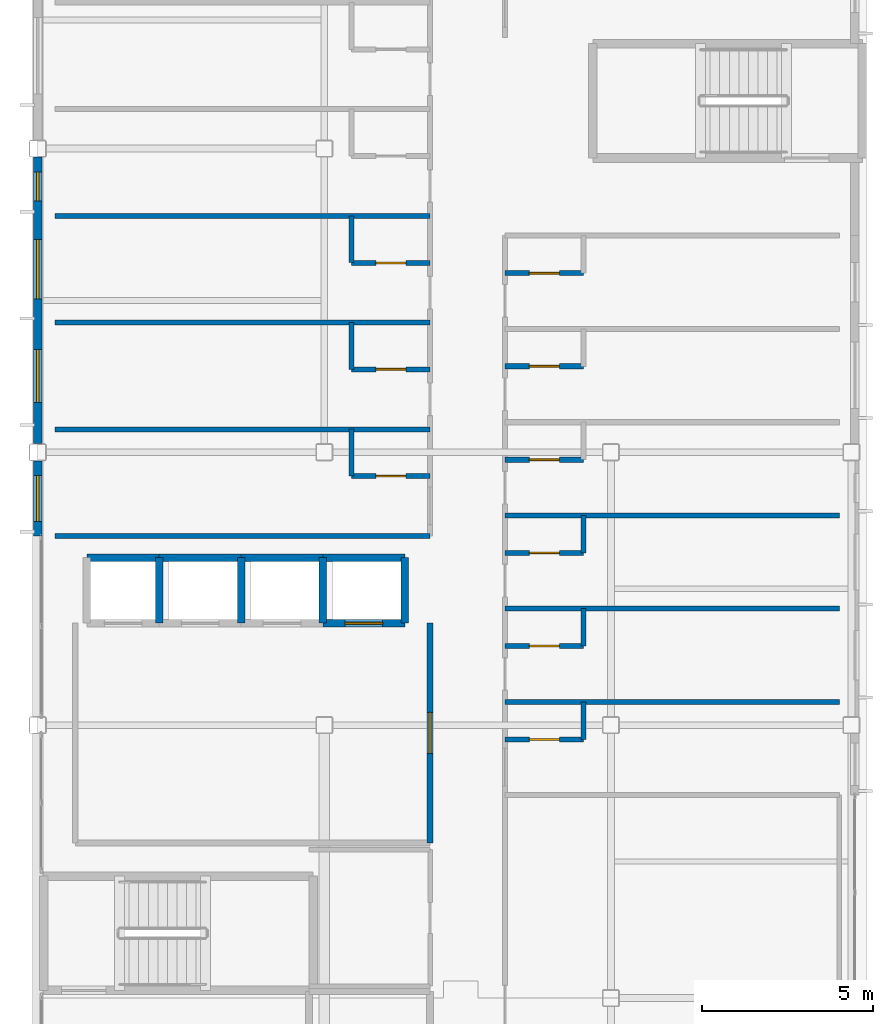
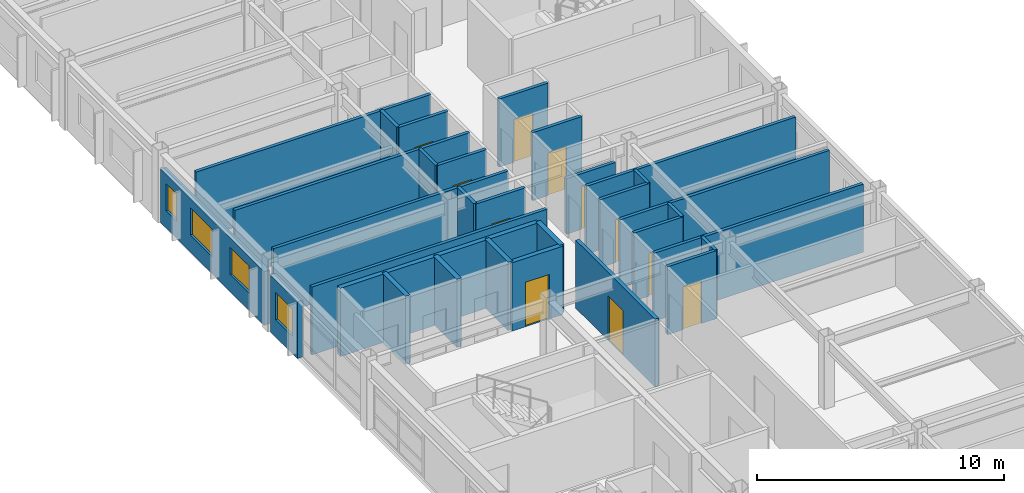
# One storey, part 28 of 35: 34 walls, 11 doors, 4 windows, 15 openings.
"""IFC4 building model written with IfcOpenShell, lengths in metres."""

from ifc_helpers import new_model, si_unit, direction, frame, frame_2d, origin, place, context, subcontext, project, spatial, rectangle, extrude, material, layer, layer_set, type_object, element, fill, save


model = new_model("IFC4")

# Units and contexts
model_context = context("Model", 3, precision=1e-05, world=origin(), true_north=direction((0.0, 1.0)))
body_context = subcontext(model_context, "Body", "Model", "MODEL_VIEW")
ifc_project = project(units=[si_unit("LENGTHUNIT", "METRE"), si_unit("AREAUNIT", "SQUARE_METRE"), si_unit("VOLUMEUNIT", "CUBIC_METRE"), si_unit("PLANEANGLEUNIT", "RADIAN"), si_unit("MASSUNIT", "GRAM", prefix="KILO")], contexts=[model_context])

# Site, building, storey
site_placement = place(None, origin())
site = spatial("IfcSite", under=ifc_project, at=site_placement, CompositionType="ELEMENT")
building_placement = place(site_placement, origin())
building = spatial("IfcBuilding", under=site, at=building_placement, Name="Kazehara Bluff Congress Hotel", CompositionType="ELEMENT")
storey_placement = place(building_placement, frame((0.0, 0.0, 35.39990234375)))
storey = spatial("IfcBuildingStorey", under=building, at=storey_placement, Name="L08", CompositionType="ELEMENT", Elevation=35.39990234375)

# Wall, opening, window
ifc_material_1 = material(Name="Precast concrete C40/50", Category="concrete")
ifc_layer_1 = layer(ifc_material_1, 0.260009765625)
ifc_layer_set_1 = layer_set([ifc_layer_1], Name="Precast concrete C40/50")
wall_type_1 = type_object("IfcWallType", Name="TP-EW-260", PredefinedType="SOLIDWALL", material=ifc_layer_set_1)
wall_1_placement = place(storey_placement, frame((143.699951171875, 62.0, 0.0), z_axis=(0.0, 0.0, 1.0), x_axis=(0.0, 1.0, 0.0)))
wall_1 = element("IfcWall", 1, at=wall_1_placement, inside=storey, type_object=wall_type_1, Name="L08 hotel facade panel 125", PredefinedType="SOLIDWALL", context=body_context, shape_type="SweptSolid", body=[
    extrude(rectangle(XDim=2.199951171875, YDim=0.260009765625, at=frame_2d((1.10009765625, 0.0))), origin(), (0.0, 0.0, 1.0), 2.80517578125),
])
opening_1_placement = place(wall_1_placement, frame((0.425048828125, 0.0, 0.85009765625)))
opening_1 = element("IfcOpeningElement", 2, at=opening_1_placement, cuts=wall_1, Name="Opening WN-11", PredefinedType="OPENING", context=body_context, shape_type="SweptSolid", body=[
    extrude(rectangle(XDim=1.35009765625, YDim=1.35009765625, at=frame_2d((0.675048828125, 0.675048828125))), frame((0.0, 0.139892578125, 0.0), z_axis=(0.0, -1.0, 0.0), x_axis=(1.0, 0.0, 0.0)), (0.0, 0.0, 1.0), 0.280029296875),
])
ifc_material_2 = material(Name="Insulated low-E double glazing", Category="glass")
window_type_1 = type_object("IfcWindowType", Name="TP-WN-11", PartitioningType="SINGLE_PANEL", PredefinedType="WINDOW", material=ifc_material_2)
window_1_placement = place(opening_1_placement, origin())
window_1 = element("IfcWindow", 3, at=window_1_placement, inside=storey, type_object=window_type_1, Name="L08 guestroom window WN-11 242", OverallHeight=1.35009765625, OverallWidth=1.35009765625, PartitioningType="SINGLE_PANEL", PredefinedType="WINDOW", context=body_context, shape_type="SweptSolid", body=[
    extrude(rectangle(XDim=1.35009765625, YDim=1.35009765625, at=frame_2d((0.675048828125, 0.675048828125))), frame((0.0, 0.030029296875, 0.0), z_axis=(0.0, -1.0, 0.0), x_axis=(1.0, 0.0, 0.0)), (0.0, 0.0, 1.0), 0.06005859375),
])
fill(opening_1, window_1)

# Wall, openings, windows
wall_2_placement = place(storey_placement, frame((143.699951171875, 64.699951171875, 0.0), z_axis=(0.0, 0.0, 1.0), x_axis=(0.0, 1.0, 0.0)))
wall_2 = element("IfcWall", 4, at=wall_2_placement, inside=storey, type_object=wall_type_1, Name="L08 hotel facade panel 126", PredefinedType="SOLIDWALL", context=body_context, shape_type="SweptSolid", body=[
    extrude(rectangle(XDim=8.400146484375, YDim=0.260009765625, at=frame_2d((4.2001953125, 0.0))), origin(), (0.0, 0.0, 1.0), 2.655029296875),
])
opening_2_placement = place(wall_2_placement, frame((1.215087890625, 0.0, 0.85009765625)))
opening_2 = element("IfcOpeningElement", 5, at=opening_2_placement, cuts=wall_2, Name="Opening WN-21", PredefinedType="OPENING", context=body_context, shape_type="SweptSolid", body=[
    extrude(rectangle(XDim=1.550048828125, YDim=1.35009765625, at=frame_2d((0.77490234375, 0.675048828125))), frame((0.0, 0.139892578125, 0.0), z_axis=(0.0, -1.0, 0.0), x_axis=(1.0, 0.0, 0.0)), (0.0, 0.0, 1.0), 0.280029296875),
])
opening_3_placement = place(wall_2_placement, frame((4.239990234375, 0.0, 0.85009765625)))
opening_3 = element("IfcOpeningElement", 6, at=opening_3_placement, cuts=wall_2, Name="Opening WN-31", PredefinedType="OPENING", context=body_context, shape_type="SweptSolid", body=[
    extrude(rectangle(XDim=1.75, YDim=1.35009765625, at=frame_2d((0.875, 0.675048828125))), frame((0.0, 0.139892578125, 0.0), z_axis=(0.0, -1.0, 0.0), x_axis=(1.0, 0.0, 0.0)), (0.0, 0.0, 1.0), 0.280029296875),
])
opening_4_placement = place(wall_2_placement, frame((7.114990234375, 0.0, 0.85009765625)))
opening_4 = element("IfcOpeningElement", 7, at=opening_4_placement, cuts=wall_2, Name="Opening WN-55", PredefinedType="OPENING", context=body_context, shape_type="SweptSolid", body=[
    extrude(rectangle(XDim=0.85009765625, YDim=1.35009765625, at=frame_2d((0.425048828125, 0.675048828125))), frame((0.0, 0.139892578125, 0.0), z_axis=(0.0, -1.0, 0.0), x_axis=(1.0, 0.0, 0.0)), (0.0, 0.0, 1.0), 0.280029296875),
])
ifc_material_3 = material(Name="Insulated low-E double glazing", Category="glass")
window_type_2 = type_object("IfcWindowType", Name="TP-WN-21", PartitioningType="SINGLE_PANEL", PredefinedType="WINDOW", material=ifc_material_3)
window_2_placement = place(opening_2_placement, origin())
window_2 = element("IfcWindow", 8, at=window_2_placement, inside=storey, type_object=window_type_2, Name="L08 guestroom window WN-21 243", OverallHeight=1.35009765625, OverallWidth=1.550048828125, PartitioningType="SINGLE_PANEL", PredefinedType="WINDOW", context=body_context, shape_type="SweptSolid", body=[
    extrude(rectangle(XDim=1.550048828125, YDim=1.35009765625, at=frame_2d((0.77490234375, 0.675048828125))), frame((0.0, 0.030029296875, 0.0), z_axis=(0.0, -1.0, 0.0), x_axis=(1.0, 0.0, 0.0)), (0.0, 0.0, 1.0), 0.06005859375),
])
fill(opening_2, window_2)
ifc_material_4 = material(Name="Insulated low-E double glazing", Category="glass")
window_type_3 = type_object("IfcWindowType", Name="TP-WN-31", PartitioningType="SINGLE_PANEL", PredefinedType="WINDOW", material=ifc_material_4)
window_3_placement = place(opening_3_placement, origin())
window_3 = element("IfcWindow", 9, at=window_3_placement, inside=storey, type_object=window_type_3, Name="L08 guestroom window WN-31 244", OverallHeight=1.35009765625, OverallWidth=1.75, PartitioningType="SINGLE_PANEL", PredefinedType="WINDOW", context=body_context, shape_type="SweptSolid", body=[
    extrude(rectangle(XDim=1.75, YDim=1.35009765625, at=frame_2d((0.875, 0.675048828125))), frame((0.0, 0.030029296875, 0.0), z_axis=(0.0, -1.0, 0.0), x_axis=(1.0, 0.0, 0.0)), (0.0, 0.0, 1.0), 0.06005859375),
])
fill(opening_3, window_3)
ifc_material_5 = material(Name="Insulated low-E double glazing", Category="glass")
window_type_4 = type_object("IfcWindowType", Name="TP-WN-55", PartitioningType="SINGLE_PANEL", PredefinedType="WINDOW", material=ifc_material_5)
window_4_placement = place(opening_4_placement, origin())
window_4 = element("IfcWindow", 10, at=window_4_placement, inside=storey, type_object=window_type_4, Name="L08 guestroom window WN-55 245", OverallHeight=1.35009765625, OverallWidth=0.85009765625, PartitioningType="SINGLE_PANEL", PredefinedType="WINDOW", context=body_context, shape_type="SweptSolid", body=[
    extrude(rectangle(XDim=0.85009765625, YDim=1.35009765625, at=frame_2d((0.425048828125, 0.675048828125))), frame((0.0, 0.030029296875, 0.0), z_axis=(0.0, -1.0, 0.0), x_axis=(1.0, 0.0, 0.0)), (0.0, 0.0, 1.0), 0.06005859375),
])
fill(opening_4, window_4)

# Wall, opening, door
ifc_material_6 = material(Name="Fire-rated gypsum board stud partition")
ifc_layer_2 = layer(ifc_material_6, 0.14990234375)
ifc_layer_set_2 = layer_set([ifc_layer_2], Name="Fire-rated gypsum board stud partition")
wall_type_2 = type_object("IfcWallType", Name="TP-PT-150", PredefinedType="PARTITIONING", material=ifc_layer_set_2)
wall_3_placement = place(storey_placement, frame((157.39990234375, 56.030029296875, 0.0), z_axis=(0.0, 0.0, 1.0), x_axis=(1.0, 0.0, 0.0)))
wall_3 = element("IfcWall", 11, at=wall_3_placement, inside=storey, type_object=wall_type_2, Name="L08 partition PT-150 1061", PredefinedType="PARTITIONING", context=body_context, shape_type="SweptSolid", body=[
    extrude(rectangle(XDim=2.300048828125, YDim=0.14990234375, at=frame_2d((1.14990234375, 0.0))), origin(), (0.0, 0.0, 1.0), 3.364990234375),
])
opening_5_placement = place(wall_3_placement, frame((0.7099609375, 0.0, 0.0)))
opening_5 = element("IfcOpeningElement", 12, at=opening_5_placement, cuts=wall_3, Name="Opening BD-02", PredefinedType="OPENING", context=body_context, shape_type="SweptSolid", body=[
    extrude(rectangle(XDim=0.8798828125, YDim=2.1201171875, at=frame_2d((0.43994140625, 1.06005859375))), frame((0.0, 0.0849609375, 0.0), z_axis=(0.0, -1.0, 0.0), x_axis=(1.0, 0.0, 0.0)), (0.0, 0.0, 1.0), 0.169921875),
])
ifc_material_7 = material(Name="Architectural oak veneer leaf")
door_type_1 = type_object("IfcDoorType", Name="TP-BD-02", OperationType="NOTDEFINED", PredefinedType="DOOR", material=ifc_material_7)
door_1_placement = place(opening_5_placement, origin())
door_1 = element("IfcDoor", 13, at=door_1_placement, inside=storey, type_object=door_type_1, Name="L08 En-suite Bathroom 240 door", OperationType="SINGLE_SWING_LEFT", OverallHeight=2.1201171875, OverallWidth=0.8798828125, PredefinedType="DOOR", context=body_context, shape_type="SweptSolid", body=[
    extrude(rectangle(XDim=0.8798828125, YDim=2.1201171875, at=frame_2d((0.43994140625, 1.06005859375))), frame((0.0, 0.02490234375, 0.0), z_axis=(0.0, -1.0, 0.0), x_axis=(1.0, 0.0, 0.0)), (0.0, 0.0, 1.0), 0.050048828125),
])
fill(opening_5, door_1)

# Wall
wall_4_placement = place(storey_placement, frame((157.39990234375, 57.1298828125, 0.0), z_axis=(0.0, 0.0, 1.0), x_axis=(1.0, 0.0, 0.0)))
element("IfcWall", 14, at=wall_4_placement, inside=storey, type_object=wall_type_2, Name="L08 partition PT-150 1062", PredefinedType="PARTITIONING", context=body_context, shape_type="SweptSolid", body=[
    extrude(rectangle(XDim=9.800048828125, YDim=0.14990234375, at=frame_2d((4.89990234375, 0.0))), origin(), (0.0, 0.0, 1.0), 3.364990234375),
])

# Wall, opening, door
wall_5_placement = place(storey_placement, frame((157.39990234375, 58.77001953125, 0.0), z_axis=(0.0, 0.0, 1.0), x_axis=(1.0, 0.0, 0.0)))
wall_5 = element("IfcWall", 15, at=wall_5_placement, inside=storey, type_object=wall_type_2, Name="L08 partition PT-150 1063", PredefinedType="PARTITIONING", context=body_context, shape_type="SweptSolid", body=[
    extrude(rectangle(XDim=2.300048828125, YDim=0.14990234375, at=frame_2d((1.14990234375, 0.0))), origin(), (0.0, 0.0, 1.0), 3.364990234375),
])
opening_6_placement = place(wall_5_placement, frame((0.7099609375, 0.0, 0.0)))
opening_6 = element("IfcOpeningElement", 16, at=opening_6_placement, cuts=wall_5, Name="Opening BD-02", PredefinedType="OPENING", context=body_context, shape_type="SweptSolid", body=[
    extrude(rectangle(XDim=0.8798828125, YDim=2.1201171875, at=frame_2d((0.43994140625, 1.06005859375))), frame((0.0, 0.0849609375, 0.0), z_axis=(0.0, -1.0, 0.0), x_axis=(1.0, 0.0, 0.0)), (0.0, 0.0, 1.0), 0.169921875),
])
door_2_placement = place(opening_6_placement, origin())
door_2 = element("IfcDoor", 17, at=door_2_placement, inside=storey, type_object=door_type_1, Name="L08 En-suite Bathroom 241 door", OperationType="SINGLE_SWING_LEFT", OverallHeight=2.1201171875, OverallWidth=0.8798828125, PredefinedType="DOOR", context=body_context, shape_type="SweptSolid", body=[
    extrude(rectangle(XDim=0.8798828125, YDim=2.1201171875, at=frame_2d((0.43994140625, 1.06005859375))), frame((0.0, 0.02490234375, 0.0), z_axis=(0.0, -1.0, 0.0), x_axis=(1.0, 0.0, 0.0)), (0.0, 0.0, 1.0), 0.050048828125),
])
fill(opening_6, door_2)

# Wall
wall_6_placement = place(storey_placement, frame((157.39990234375, 59.8701171875, 0.0), z_axis=(0.0, 0.0, 1.0), x_axis=(1.0, 0.0, 0.0)))
element("IfcWall", 18, at=wall_6_placement, inside=storey, type_object=wall_type_2, Name="L08 partition PT-150 1064", PredefinedType="PARTITIONING", context=body_context, shape_type="SweptSolid", body=[
    extrude(rectangle(XDim=9.800048828125, YDim=0.14990234375, at=frame_2d((4.89990234375, 0.0))), origin(), (0.0, 0.0, 1.0), 3.364990234375),
])

# Wall, opening, door
wall_7_placement = place(storey_placement, frame((157.39990234375, 61.5, 0.0), z_axis=(0.0, 0.0, 1.0), x_axis=(1.0, 0.0, 0.0)))
wall_7 = element("IfcWall", 19, at=wall_7_placement, inside=storey, type_object=wall_type_2, Name="L08 partition PT-150 1065", PredefinedType="PARTITIONING", context=body_context, shape_type="SweptSolid", body=[
    extrude(rectangle(XDim=2.300048828125, YDim=0.14990234375, at=frame_2d((1.14990234375, 0.0))), origin(), (0.0, 0.0, 1.0), 3.364990234375),
])
opening_7_placement = place(wall_7_placement, frame((0.7099609375, 0.0, 0.0)))
opening_7 = element("IfcOpeningElement", 20, at=opening_7_placement, cuts=wall_7, Name="Opening BD-02", PredefinedType="OPENING", context=body_context, shape_type="SweptSolid", body=[
    extrude(rectangle(XDim=0.8798828125, YDim=2.1201171875, at=frame_2d((0.43994140625, 1.06005859375))), frame((0.0, 0.0849609375, 0.0), z_axis=(0.0, -1.0, 0.0), x_axis=(1.0, 0.0, 0.0)), (0.0, 0.0, 1.0), 0.169921875),
])
door_3_placement = place(opening_7_placement, origin())
door_3 = element("IfcDoor", 21, at=door_3_placement, inside=storey, type_object=door_type_1, Name="L08 En-suite Bathroom 242 door", OperationType="SINGLE_SWING_LEFT", OverallHeight=2.1201171875, OverallWidth=0.8798828125, PredefinedType="DOOR", context=body_context, shape_type="SweptSolid", body=[
    extrude(rectangle(XDim=0.8798828125, YDim=2.1201171875, at=frame_2d((0.43994140625, 1.06005859375))), frame((0.0, 0.02490234375, 0.0), z_axis=(0.0, -1.0, 0.0), x_axis=(1.0, 0.0, 0.0)), (0.0, 0.0, 1.0), 0.050048828125),
])
fill(opening_7, door_3)

# Walls
wall_8_placement = place(storey_placement, frame((144.199951171875, 62.0, 0.0), z_axis=(0.0, 0.0, 1.0), x_axis=(1.0, 0.0, 0.0)))
element("IfcWall", 22, at=wall_8_placement, inside=storey, type_object=wall_type_2, Name="L08 partition PT-150 1066", PredefinedType="PARTITIONING", context=body_context, shape_type="SweptSolid", body=[
    extrude(rectangle(XDim=11.0, YDim=0.14990234375, at=frame_2d((5.5, 0.0))), origin(), (0.0, 0.0, 1.0), 3.364990234375),
])
wall_9_placement = place(storey_placement, frame((157.39990234375, 62.60009765625, 0.0), z_axis=(0.0, 0.0, 1.0), x_axis=(1.0, 0.0, 0.0)))
element("IfcWall", 23, at=wall_9_placement, inside=storey, type_object=wall_type_2, Name="L08 partition PT-150 1067", PredefinedType="PARTITIONING", context=body_context, shape_type="SweptSolid", body=[
    extrude(rectangle(XDim=9.800048828125, YDim=0.14990234375, at=frame_2d((4.89990234375, 0.0))), origin(), (0.0, 0.0, 1.0), 3.364990234375),
])

# Wall, opening, door
wall_10_placement = place(storey_placement, frame((152.89990234375, 63.75, 0.0), z_axis=(0.0, 0.0, 1.0), x_axis=(1.0, 0.0, 0.0)))
wall_10 = element("IfcWall", 24, at=wall_10_placement, inside=storey, type_object=wall_type_2, Name="L08 partition PT-150 1068", PredefinedType="PARTITIONING", context=body_context, shape_type="SweptSolid", body=[
    extrude(rectangle(XDim=2.300048828125, YDim=0.14990234375, at=frame_2d((1.14990234375, 0.0))), origin(), (0.0, 0.0, 1.0), 3.364990234375),
])
opening_8_placement = place(wall_10_placement, frame((0.7099609375, 0.0, 0.0)))
opening_8 = element("IfcOpeningElement", 25, at=opening_8_placement, cuts=wall_10, Name="Opening BD-02", PredefinedType="OPENING", context=body_context, shape_type="SweptSolid", body=[
    extrude(rectangle(XDim=0.8798828125, YDim=2.1201171875, at=frame_2d((0.43994140625, 1.06005859375))), frame((0.0, 0.0849609375, 0.0), z_axis=(0.0, -1.0, 0.0), x_axis=(1.0, 0.0, 0.0)), (0.0, 0.0, 1.0), 0.169921875),
])
door_4_placement = place(opening_8_placement, origin())
door_4 = element("IfcDoor", 26, at=door_4_placement, inside=storey, type_object=door_type_1, Name="L08 En-suite Bathroom 219 door", OperationType="SINGLE_SWING_LEFT", OverallHeight=2.1201171875, OverallWidth=0.8798828125, PredefinedType="DOOR", context=body_context, shape_type="SweptSolid", body=[
    extrude(rectangle(XDim=0.8798828125, YDim=2.1201171875, at=frame_2d((0.43994140625, 1.06005859375))), frame((0.0, 0.02490234375, 0.0), z_axis=(0.0, -1.0, 0.0), x_axis=(1.0, 0.0, 0.0)), (0.0, 0.0, 1.0), 0.050048828125),
])
fill(opening_8, door_4)

wall_11_placement = place(storey_placement, frame((157.39990234375, 64.22998046875, 0.0), z_axis=(0.0, 0.0, 1.0), x_axis=(1.0, 0.0, 0.0)))
wall_11 = element("IfcWall", 27, at=wall_11_placement, inside=storey, type_object=wall_type_2, Name="L08 partition PT-150 1069", PredefinedType="PARTITIONING", context=body_context, shape_type="SweptSolid", body=[
    extrude(rectangle(XDim=2.300048828125, YDim=0.14990234375, at=frame_2d((1.14990234375, 0.0))), origin(), (0.0, 0.0, 1.0), 2.755126953125),
])
opening_9_placement = place(wall_11_placement, frame((0.7099609375, 0.0, 0.0)))
opening_9 = element("IfcOpeningElement", 28, at=opening_9_placement, cuts=wall_11, Name="Opening BD-02", PredefinedType="OPENING", context=body_context, shape_type="SweptSolid", body=[
    extrude(rectangle(XDim=0.8798828125, YDim=2.1201171875, at=frame_2d((0.43994140625, 1.06005859375))), frame((0.0, 0.0849609375, 0.0), z_axis=(0.0, -1.0, 0.0), x_axis=(1.0, 0.0, 0.0)), (0.0, 0.0, 1.0), 0.169921875),
])
door_5_placement = place(opening_9_placement, origin())
door_5 = element("IfcDoor", 29, at=door_5_placement, inside=storey, type_object=door_type_1, Name="L08 En-suite Bathroom 243 door", OperationType="SINGLE_SWING_LEFT", OverallHeight=2.1201171875, OverallWidth=0.8798828125, PredefinedType="DOOR", context=body_context, shape_type="SweptSolid", body=[
    extrude(rectangle(XDim=0.8798828125, YDim=2.1201171875, at=frame_2d((0.43994140625, 1.06005859375))), frame((0.0, 0.02490234375, 0.0), z_axis=(0.0, -1.0, 0.0), x_axis=(1.0, 0.0, 0.0)), (0.0, 0.0, 1.0), 0.050048828125),
])
fill(opening_9, door_5)

# Wall
wall_12_placement = place(storey_placement, frame((144.199951171875, 65.1201171875, 0.0), z_axis=(0.0, 0.0, 1.0), x_axis=(1.0, 0.0, 0.0)))
element("IfcWall", 30, at=wall_12_placement, inside=storey, type_object=wall_type_2, Name="L08 partition PT-150 1070", PredefinedType="PARTITIONING", context=body_context, shape_type="SweptSolid", body=[
    extrude(rectangle(XDim=11.0, YDim=0.14990234375, at=frame_2d((5.5, 0.0))), origin(), (0.0, 0.0, 1.0), 3.364990234375),
])

# Wall, opening, door
wall_13_placement = place(storey_placement, frame((152.89990234375, 66.8798828125, 0.0), z_axis=(0.0, 0.0, 1.0), x_axis=(1.0, 0.0, 0.0)))
wall_13 = element("IfcWall", 31, at=wall_13_placement, inside=storey, type_object=wall_type_2, Name="L08 partition PT-150 1072", PredefinedType="PARTITIONING", context=body_context, shape_type="SweptSolid", body=[
    extrude(rectangle(XDim=2.300048828125, YDim=0.14990234375, at=frame_2d((1.14990234375, 0.0))), origin(), (0.0, 0.0, 1.0), 3.364990234375),
])
opening_10_placement = place(wall_13_placement, frame((0.7099609375, 0.0, 0.0)))
opening_10 = element("IfcOpeningElement", 32, at=opening_10_placement, cuts=wall_13, Name="Opening BD-02", PredefinedType="OPENING", context=body_context, shape_type="SweptSolid", body=[
    extrude(rectangle(XDim=0.8798828125, YDim=2.1201171875, at=frame_2d((0.43994140625, 1.06005859375))), frame((0.0, 0.0849609375, 0.0), z_axis=(0.0, -1.0, 0.0), x_axis=(1.0, 0.0, 0.0)), (0.0, 0.0, 1.0), 0.169921875),
])
door_6_placement = place(opening_10_placement, origin())
door_6 = element("IfcDoor", 33, at=door_6_placement, inside=storey, type_object=door_type_1, Name="L08 En-suite Bathroom 220 door", OperationType="SINGLE_SWING_LEFT", OverallHeight=2.1201171875, OverallWidth=0.8798828125, PredefinedType="DOOR", context=body_context, shape_type="SweptSolid", body=[
    extrude(rectangle(XDim=0.8798828125, YDim=2.1201171875, at=frame_2d((0.43994140625, 1.06005859375))), frame((0.0, 0.02490234375, 0.0), z_axis=(0.0, -1.0, 0.0), x_axis=(1.0, 0.0, 0.0)), (0.0, 0.0, 1.0), 0.050048828125),
])
fill(opening_10, door_6)

wall_14_placement = place(storey_placement, frame((157.39990234375, 66.969970703125, 0.0), z_axis=(0.0, 0.0, 1.0), x_axis=(1.0, 0.0, 0.0)))
wall_14 = element("IfcWall", 34, at=wall_14_placement, inside=storey, type_object=wall_type_2, Name="L08 partition PT-150 1073", PredefinedType="PARTITIONING", context=body_context, shape_type="SweptSolid", body=[
    extrude(rectangle(XDim=2.300048828125, YDim=0.14990234375, at=frame_2d((1.14990234375, 0.0))), origin(), (0.0, 0.0, 1.0), 3.364990234375),
])
opening_11_placement = place(wall_14_placement, frame((0.7099609375, 0.0, 0.0)))
opening_11 = element("IfcOpeningElement", 35, at=opening_11_placement, cuts=wall_14, Name="Opening BD-02", PredefinedType="OPENING", context=body_context, shape_type="SweptSolid", body=[
    extrude(rectangle(XDim=0.8798828125, YDim=2.1201171875, at=frame_2d((0.43994140625, 1.06005859375))), frame((0.0, 0.0849609375, 0.0), z_axis=(0.0, -1.0, 0.0), x_axis=(1.0, 0.0, 0.0)), (0.0, 0.0, 1.0), 0.169921875),
])
door_7_placement = place(opening_11_placement, origin())
door_7 = element("IfcDoor", 36, at=door_7_placement, inside=storey, type_object=door_type_1, Name="L08 En-suite Bathroom 244 door", OperationType="SINGLE_SWING_LEFT", OverallHeight=2.1201171875, OverallWidth=0.8798828125, PredefinedType="DOOR", context=body_context, shape_type="SweptSolid", body=[
    extrude(rectangle(XDim=0.8798828125, YDim=2.1201171875, at=frame_2d((0.43994140625, 1.06005859375))), frame((0.0, 0.02490234375, 0.0), z_axis=(0.0, -1.0, 0.0), x_axis=(1.0, 0.0, 0.0)), (0.0, 0.0, 1.0), 0.050048828125),
])
fill(opening_11, door_7)

# Wall
wall_15_placement = place(storey_placement, frame((144.199951171875, 68.25, 0.0), z_axis=(0.0, 0.0, 1.0), x_axis=(1.0, 0.0, 0.0)))
element("IfcWall", 37, at=wall_15_placement, inside=storey, type_object=wall_type_2, Name="L08 partition PT-150 1075", PredefinedType="PARTITIONING", context=body_context, shape_type="SweptSolid", body=[
    extrude(rectangle(XDim=11.0, YDim=0.14990234375, at=frame_2d((5.5, 0.0))), origin(), (0.0, 0.0, 1.0), 3.364990234375),
])

# Wall, opening, door
wall_16_placement = place(storey_placement, frame((157.39990234375, 69.699951171875, 0.0), z_axis=(0.0, 0.0, 1.0), x_axis=(1.0, 0.0, 0.0)))
wall_16 = element("IfcWall", 38, at=wall_16_placement, inside=storey, type_object=wall_type_2, Name="L08 partition PT-150 1076", PredefinedType="PARTITIONING", context=body_context, shape_type="SweptSolid", body=[
    extrude(rectangle(XDim=2.300048828125, YDim=0.14990234375, at=frame_2d((1.14990234375, 0.0))), origin(), (0.0, 0.0, 1.0), 3.364990234375),
])
opening_12_placement = place(wall_16_placement, frame((0.7099609375, 0.0, 0.0)))
opening_12 = element("IfcOpeningElement", 39, at=opening_12_placement, cuts=wall_16, Name="Opening BD-02", PredefinedType="OPENING", context=body_context, shape_type="SweptSolid", body=[
    extrude(rectangle(XDim=0.8798828125, YDim=2.1201171875, at=frame_2d((0.43994140625, 1.06005859375))), frame((0.0, 0.0849609375, 0.0), z_axis=(0.0, -1.0, 0.0), x_axis=(1.0, 0.0, 0.0)), (0.0, 0.0, 1.0), 0.169921875),
])
door_8_placement = place(opening_12_placement, origin())
door_8 = element("IfcDoor", 40, at=door_8_placement, inside=storey, type_object=door_type_1, Name="L08 En-suite Bathroom 245 door", OperationType="SINGLE_SWING_LEFT", OverallHeight=2.1201171875, OverallWidth=0.8798828125, PredefinedType="DOOR", context=body_context, shape_type="SweptSolid", body=[
    extrude(rectangle(XDim=0.8798828125, YDim=2.1201171875, at=frame_2d((0.43994140625, 1.06005859375))), frame((0.0, 0.02490234375, 0.0), z_axis=(0.0, -1.0, 0.0), x_axis=(1.0, 0.0, 0.0)), (0.0, 0.0, 1.0), 0.050048828125),
])
fill(opening_12, door_8)

wall_17_placement = place(storey_placement, frame((152.89990234375, 70.0, 0.0), z_axis=(0.0, 0.0, 1.0), x_axis=(1.0, 0.0, 0.0)))
wall_17 = element("IfcWall", 41, at=wall_17_placement, inside=storey, type_object=wall_type_2, Name="L08 partition PT-150 1077", PredefinedType="PARTITIONING", context=body_context, shape_type="SweptSolid", body=[
    extrude(rectangle(XDim=2.300048828125, YDim=0.14990234375, at=frame_2d((1.14990234375, 0.0))), origin(), (0.0, 0.0, 1.0), 3.364990234375),
])
opening_13_placement = place(wall_17_placement, frame((0.7099609375, 0.0, 0.0)))
opening_13 = element("IfcOpeningElement", 42, at=opening_13_placement, cuts=wall_17, Name="Opening BD-02", PredefinedType="OPENING", context=body_context, shape_type="SweptSolid", body=[
    extrude(rectangle(XDim=0.8798828125, YDim=2.1201171875, at=frame_2d((0.43994140625, 1.06005859375))), frame((0.0, 0.0849609375, 0.0), z_axis=(0.0, -1.0, 0.0), x_axis=(1.0, 0.0, 0.0)), (0.0, 0.0, 1.0), 0.169921875),
])
door_9_placement = place(opening_13_placement, origin())
door_9 = element("IfcDoor", 43, at=door_9_placement, inside=storey, type_object=door_type_1, Name="L08 En-suite Bathroom 221 door", OperationType="SINGLE_SWING_LEFT", OverallHeight=2.1201171875, OverallWidth=0.8798828125, PredefinedType="DOOR", context=body_context, shape_type="SweptSolid", body=[
    extrude(rectangle(XDim=0.8798828125, YDim=2.1201171875, at=frame_2d((0.43994140625, 1.06005859375))), frame((0.0, 0.02490234375, 0.0), z_axis=(0.0, -1.0, 0.0), x_axis=(1.0, 0.0, 0.0)), (0.0, 0.0, 1.0), 0.050048828125),
])
fill(opening_13, door_9)

# Walls
wall_18_placement = place(storey_placement, frame((144.199951171875, 71.3798828125, 0.0), z_axis=(0.0, 0.0, 1.0), x_axis=(1.0, 0.0, 0.0)))
element("IfcWall", 44, at=wall_18_placement, inside=storey, type_object=wall_type_2, Name="L08 partition PT-150 1079", PredefinedType="PARTITIONING", context=body_context, shape_type="SweptSolid", body=[
    extrude(rectangle(XDim=11.0, YDim=0.14990234375, at=frame_2d((5.5, 0.0))), origin(), (0.0, 0.0, 1.0), 3.364990234375),
])
wall_19_placement = place(storey_placement, frame((152.89990234375, 63.75, 0.0), z_axis=(0.0, 0.0, 1.0), x_axis=(0.0, 1.0, 0.0)))
element("IfcWall", 45, at=wall_19_placement, inside=storey, type_object=wall_type_2, Name="L08 partition PT-150 1121", PredefinedType="PARTITIONING", context=body_context, shape_type="SweptSolid", body=[
    extrude(rectangle(XDim=1.375, YDim=0.14990234375, at=frame_2d((0.6875, 0.0))), origin(), (0.0, 0.0, 1.0), 3.364990234375),
])
wall_20_placement = place(storey_placement, frame((152.89990234375, 66.875, 0.0), z_axis=(0.0, 0.0, 1.0), x_axis=(0.0, 1.0, 0.0)))
element("IfcWall", 46, at=wall_20_placement, inside=storey, type_object=wall_type_2, Name="L08 partition PT-150 1122", PredefinedType="PARTITIONING", context=body_context, shape_type="SweptSolid", body=[
    extrude(rectangle(XDim=1.3798828125, YDim=0.14990234375, at=frame_2d((0.68994140625, 0.0))), origin(), (0.0, 0.0, 1.0), 3.364990234375),
])
wall_21_placement = place(storey_placement, frame((152.89990234375, 70.0048828125, 0.0), z_axis=(0.0, 0.0, 1.0), x_axis=(0.0, 1.0, 0.0)))
element("IfcWall", 47, at=wall_21_placement, inside=storey, type_object=wall_type_2, Name="L08 partition PT-150 1123", PredefinedType="PARTITIONING", context=body_context, shape_type="SweptSolid", body=[
    extrude(rectangle(XDim=1.375, YDim=0.14990234375, at=frame_2d((0.6875, 0.0))), origin(), (0.0, 0.0, 1.0), 3.364990234375),
])
for number, where, z_axis, x_axis, name in (
    (48, (159.699951171875, 56.034912109375, 0.0), (0.0, 0.0, 1.0), (0.0, 1.0, 0.0), "L08 partition PT-150 1152"),
    (49, (159.699951171875, 58.764892578125, 0.0), (0.0, 0.0, 1.0), (0.0, 1.0, 0.0), "L08 partition PT-150 1153"),
    (50, (159.699951171875, 61.5, 0.0), (0.0, 0.0, 1.0), (0.0, 1.0, 0.0), "L08 partition PT-150 1154"),
):
    element("IfcWall", number, at=place(storey_placement, frame(where, z_axis=z_axis, x_axis=x_axis)), inside=storey, type_object=wall_type_2, Name=name, PredefinedType="PARTITIONING", context=body_context, shape_type="SweptSolid", body=[
        extrude(rectangle(XDim=1.10009765625, YDim=0.14990234375, at=frame_2d((0.550048828125, 0.0))), origin(), (0.0, 0.0, 1.0), 3.364990234375),
    ])

# Wall, opening, door
ifc_material_8 = material(Name="Fire-rated gypsum board stud partition")
ifc_layer_3 = layer(ifc_material_8, 0.169921875)
ifc_layer_set_3 = layer_set([ifc_layer_3], Name="Fire-rated gypsum board stud partition")
wall_type_3 = type_object("IfcWallType", Name="TP-PT-180", PredefinedType="PARTITIONING", material=ifc_layer_set_3)
wall_22_placement = place(storey_placement, frame((155.199951171875, 53.0, 0.0), z_axis=(0.0, 0.0, 1.0), x_axis=(0.0, 1.0, 0.0)))
wall_22 = element("IfcWall", 51, at=wall_22_placement, inside=storey, type_object=wall_type_3, Name="L08 partition PT-180 1137", PredefinedType="PARTITIONING", context=body_context, shape_type="SweptSolid", body=[
    extrude(rectangle(XDim=6.449951171875, YDim=0.169921875, at=frame_2d((3.22509765625, 0.0))), origin(), (0.0, 0.0, 1.0), 3.364990234375),
])
opening_14_placement = place(wall_22_placement, frame((2.625, 0.0, 0.0)))
opening_14 = element("IfcOpeningElement", 52, at=opening_14_placement, cuts=wall_22, Name="Opening FD-02", PredefinedType="OPENING", context=body_context, shape_type="SweptSolid", body=[
    extrude(rectangle(XDim=1.199951171875, YDim=2.199951171875, at=frame_2d((0.60009765625, 1.10009765625))), frame((0.0, 0.094970703125, 0.0), z_axis=(0.0, -1.0, 0.0), x_axis=(1.0, 0.0, 0.0)), (0.0, 0.0, 1.0), 0.18994140625),
])
ifc_material_9 = material(Name="Fire-rated painted steel leaf", Category="steel")
door_type_2 = type_object("IfcDoorType", Name="TP-FD-02", OperationType="NOTDEFINED", PredefinedType="DOOR", material=ifc_material_9)
door_10_placement = place(opening_14_placement, origin())
door_10 = element("IfcDoor", 53, at=door_10_placement, inside=storey, type_object=door_type_2, Name="L08 Hotel Passenger Lift Lobby door", OperationType="SINGLE_SWING_LEFT", OverallHeight=2.199951171875, OverallWidth=1.199951171875, PredefinedType="DOOR", context=body_context, shape_type="SweptSolid", body=[
    extrude(rectangle(XDim=1.199951171875, YDim=2.199951171875, at=frame_2d((0.60009765625, 1.10009765625))), frame((0.0, 0.02490234375, 0.0), z_axis=(0.0, -1.0, 0.0), x_axis=(1.0, 0.0, 0.0)), (0.0, 0.0, 1.0), 0.050048828125),
])
fill(opening_14, door_10)

# Walls
ifc_material_10 = material(Name="Concrete C40/50", Category="concrete")
ifc_layer_4 = layer(ifc_material_10, 0.219970703125)
ifc_layer_set_4 = layer_set([ifc_layer_4], Name="Concrete C40/50")
wall_type_4 = type_object("IfcWallType", Name="TP-SW-RC", PredefinedType="SHEAR", material=ifc_layer_set_4)
wall_23_placement = place(storey_placement, frame((145.139892578125, 61.360107421875, 0.0), z_axis=(0.0, 0.0, 1.0), x_axis=(1.0, 0.0, 0.0)))
element("IfcWall", 54, at=wall_23_placement, inside=storey, type_object=wall_type_4, Name="L08 EL-P1 lift shaft wall +Y", PredefinedType="SHEAR", context=body_context, shape_type="SweptSolid", body=[
    extrude(rectangle(XDim=2.1201171875, YDim=0.219970703125, at=frame_2d((1.06005859375, 0.0))), origin(), (0.0, 0.0, 1.0), 3.380126953125),
])
wall_24_placement = place(storey_placement, frame((147.260009765625, 59.43994140625, 0.0), z_axis=(0.0, 0.0, 1.0), x_axis=(0.0, 1.0, 0.0)))
element("IfcWall", 55, at=wall_24_placement, inside=storey, type_object=wall_type_4, Name="L08 EL-P1 lift shaft wall +X", PredefinedType="SHEAR", context=body_context, shape_type="SweptSolid", body=[
    extrude(rectangle(XDim=1.920166015625, YDim=0.219970703125, at=frame_2d((0.9599609375, 0.0))), origin(), (0.0, 0.0, 1.0), 3.380126953125),
])
wall_25_placement = place(storey_placement, frame((147.260009765625, 61.360107421875, 0.0), z_axis=(0.0, 0.0, 1.0), x_axis=(1.0, 0.0, 0.0)))
element("IfcWall", 56, at=wall_25_placement, inside=storey, type_object=wall_type_4, Name="L08 EL-P2 lift shaft wall +Y", PredefinedType="SHEAR", context=body_context, shape_type="SweptSolid", body=[
    extrude(rectangle(XDim=2.39990234375, YDim=0.219970703125, at=frame_2d((1.199951171875, 0.0))), origin(), (0.0, 0.0, 1.0), 3.380126953125),
])
wall_26_placement = place(storey_placement, frame((149.659912109375, 59.43994140625, 0.0), z_axis=(0.0, 0.0, 1.0), x_axis=(0.0, 1.0, 0.0)))
element("IfcWall", 57, at=wall_26_placement, inside=storey, type_object=wall_type_4, Name="L08 EL-P2 lift shaft wall +X", PredefinedType="SHEAR", context=body_context, shape_type="SweptSolid", body=[
    extrude(rectangle(XDim=1.920166015625, YDim=0.219970703125, at=frame_2d((0.9599609375, 0.0))), origin(), (0.0, 0.0, 1.0), 3.380126953125),
])
wall_27_placement = place(storey_placement, frame((149.659912109375, 61.360107421875, 0.0), z_axis=(0.0, 0.0, 1.0), x_axis=(1.0, 0.0, 0.0)))
element("IfcWall", 58, at=wall_27_placement, inside=storey, type_object=wall_type_4, Name="L08 EL-P3 lift shaft wall +Y", PredefinedType="SHEAR", context=body_context, shape_type="SweptSolid", body=[
    extrude(rectangle(XDim=2.400146484375, YDim=0.219970703125, at=frame_2d((1.2001953125, 0.0))), origin(), (0.0, 0.0, 1.0), 3.380126953125),
])
wall_28_placement = place(storey_placement, frame((152.06005859375, 59.43994140625, 0.0), z_axis=(0.0, 0.0, 1.0), x_axis=(0.0, 1.0, 0.0)))
element("IfcWall", 59, at=wall_28_placement, inside=storey, type_object=wall_type_4, Name="L08 EL-P3 lift shaft wall +X", PredefinedType="SHEAR", context=body_context, shape_type="SweptSolid", body=[
    extrude(rectangle(XDim=1.920166015625, YDim=0.219970703125, at=frame_2d((0.9599609375, 0.0))), origin(), (0.0, 0.0, 1.0), 3.380126953125),
])
wall_29_placement = place(storey_placement, frame((152.06005859375, 61.360107421875, 0.0), z_axis=(0.0, 0.0, 1.0), x_axis=(1.0, 0.0, 0.0)))
element("IfcWall", 60, at=wall_29_placement, inside=storey, type_object=wall_type_4, Name="L08 EL-P4 lift shaft wall +Y", PredefinedType="SHEAR", context=body_context, shape_type="SweptSolid", body=[
    extrude(rectangle(XDim=2.39990234375, YDim=0.219970703125, at=frame_2d((1.199951171875, 0.0))), origin(), (0.0, 0.0, 1.0), 3.380126953125),
])

# Wall, opening, door
wall_30_placement = place(storey_placement, frame((152.06005859375, 59.43994140625, 0.0), z_axis=(0.0, 0.0, 1.0), x_axis=(1.0, 0.0, 0.0)))
wall_30 = element("IfcWall", 61, at=wall_30_placement, inside=storey, type_object=wall_type_4, Name="L08 EL-P4 lift shaft wall -Y", PredefinedType="SHEAR", context=body_context, shape_type="SweptSolid", body=[
    extrude(rectangle(XDim=2.39990234375, YDim=0.219970703125, at=frame_2d((1.199951171875, 0.0))), origin(), (0.0, 0.0, 1.0), 3.380126953125),
])
opening_15_placement = place(wall_30_placement, frame((0.64990234375, 0.0, 0.0)))
opening_15 = element("IfcOpeningElement", 62, at=opening_15_placement, cuts=wall_30, Name="Opening LD-01", PredefinedType="OPENING", context=body_context, shape_type="SweptSolid", body=[
    extrude(rectangle(XDim=1.10009765625, YDim=2.199951171875, at=frame_2d((0.550048828125, 1.10009765625))), frame((0.0, 0.119873046875, 0.0), z_axis=(0.0, -1.0, 0.0), x_axis=(1.0, 0.0, 0.0)), (0.0, 0.0, 1.0), 0.239990234375),
])
ifc_material_11 = material(Name="Fire-rated painted steel leaf", Category="steel")
door_type_3 = type_object("IfcDoorType", Name="TP-LD-01", OperationType="SLIDING_TO_LEFT", PredefinedType="DOOR", material=ifc_material_11)
door_11_placement = place(opening_15_placement, origin())
door_11 = element("IfcDoor", 63, at=door_11_placement, inside=storey, type_object=door_type_3, Name="L08 EL-P4 elevator landing door", OperationType="SLIDING_TO_LEFT", OverallHeight=2.199951171875, OverallWidth=1.10009765625, PredefinedType="DOOR", context=body_context, shape_type="SweptSolid", body=[
    extrude(rectangle(XDim=1.10009765625, YDim=2.199951171875, at=frame_2d((0.550048828125, 1.10009765625))), frame((0.0, 0.02490234375, 0.0), z_axis=(0.0, -1.0, 0.0), x_axis=(1.0, 0.0, 0.0)), (0.0, 0.0, 1.0), 0.050048828125),
])
fill(opening_15, door_11)

# Wall
wall_31_placement = place(storey_placement, frame((154.4599609375, 59.43994140625, 0.0), z_axis=(0.0, 0.0, 1.0), x_axis=(0.0, 1.0, 0.0)))
element("IfcWall", 64, at=wall_31_placement, inside=storey, type_object=wall_type_4, Name="L08 EL-P4 lift shaft wall +X", PredefinedType="SHEAR", context=body_context, shape_type="SweptSolid", body=[
    extrude(rectangle(XDim=1.920166015625, YDim=0.219970703125, at=frame_2d((0.9599609375, 0.0))), origin(), (0.0, 0.0, 1.0), 3.380126953125),
])

save(model, "model.ifc")
